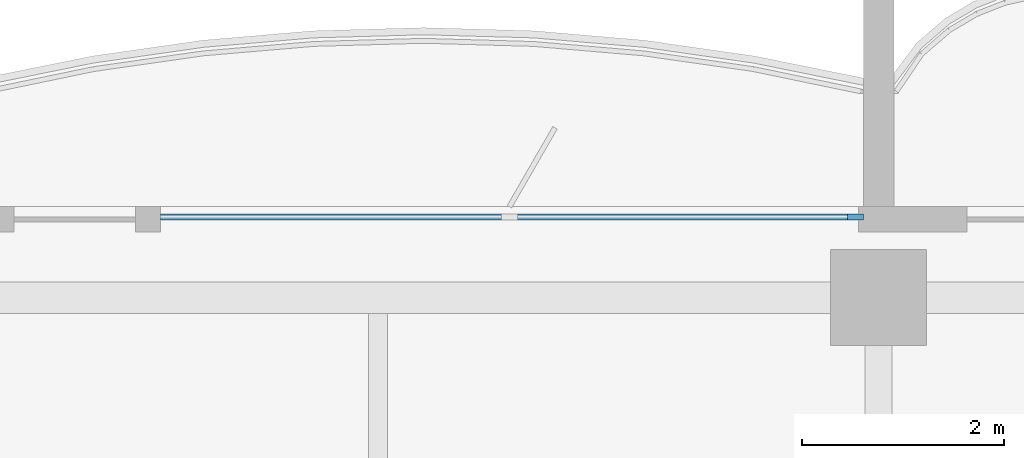
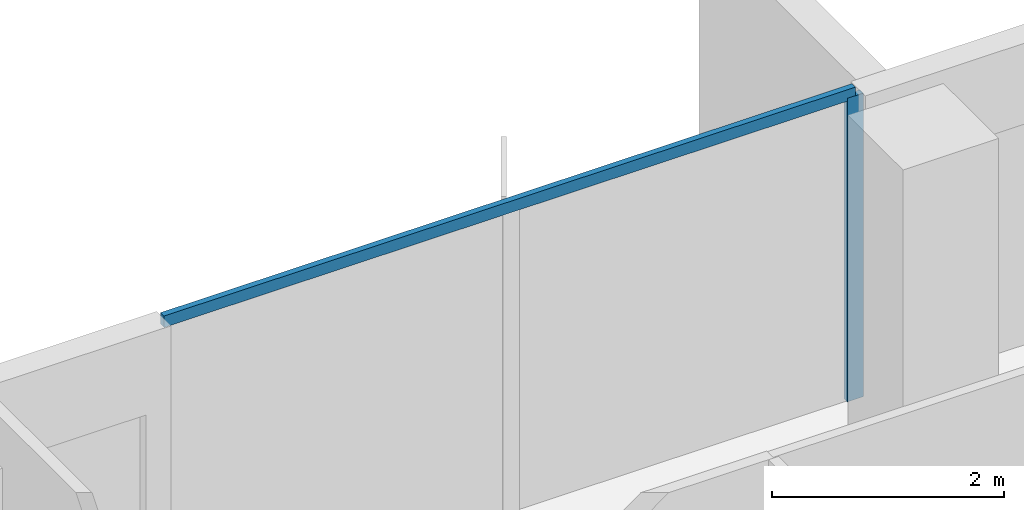
# One storey, part 6 of 18: 2 members, 1 element without a shape of its own.
"""IFC4 building model written with IfcOpenShell, lengths in metres."""

from ifc_helpers import new_model, si_unit, direction, frame, origin, origin_2d, place, context, subcontext, project, spatial, rectangle, extrude, material, material_profile, profile_set, type_object, element, aggregate, save


model = new_model("IFC4")

# Units and contexts
model_context = context("Model", 3, precision=1e-05, world=origin(), true_north=direction((0.0, 1.0)))
body_context = subcontext(model_context, "Body", "Model", "MODEL_VIEW")
ifc_project = project(units=[si_unit("LENGTHUNIT", "METRE"), si_unit("AREAUNIT", "SQUARE_METRE"), si_unit("VOLUMEUNIT", "CUBIC_METRE"), si_unit("PLANEANGLEUNIT", "RADIAN"), si_unit("MASSUNIT", "GRAM", prefix="KILO")], contexts=[model_context])

# Site, building, storey
site_placement = place(None, origin())
site = spatial("IfcSite", under=ifc_project, at=site_placement, CompositionType="ELEMENT")
building_placement = place(site_placement, origin())
building = spatial("IfcBuilding", under=site, at=building_placement, Name="Perihelion Cross Residences", CompositionType="ELEMENT")
storey_placement = place(building_placement, frame((0.0, 0.0, 215.60009765625)))
storey = spatial("IfcBuildingStorey", under=building, at=storey_placement, Name="L54", CompositionType="ELEMENT", Elevation=215.60009765625)

# Curtain wall, members
ifc_material_1 = material(Name="Bronze anodised aluminium, tinted glazing", Category="aluminium")
curtain_wall_type = type_object("IfcCurtainWallType", Name="CW1", PredefinedType="NOTDEFINED", material=ifc_material_1)
curtain_wall_placement = place(storey_placement, origin())
curtain_wall = element("IfcCurtainWall", 1, at=curtain_wall_placement, inside=storey, type_object=curtain_wall_type, Name="Curtain wall CW1 L54 east side north bay 2", PredefinedType="NOTDEFINED")
ifc_material_2 = material(Name="Bronze anodised aluminium", Category="aluminium")
ifc_material_profile_1 = material_profile(ifc_material_2, rectangle(XDim=0.06005859375, YDim=0.159912109375, at=origin_2d()), Name="CW1 mullion")
ifc_profile_set_1 = profile_set([ifc_material_profile_1], Name="Bronze anodised aluminium")
member_type_1 = type_object("IfcMemberType", Name="CW1 mullion", PredefinedType="MULLION", material=ifc_profile_set_1)
member_1_placement = place(storey_placement, frame((17.77001953125, 8.89990234375, 0.0), z_axis=(0.0, 0.0, 1.0), x_axis=(0.0, -1.0, 0.0)))
member_1 = element("IfcMember", 2, at=member_1_placement, type_object=member_type_1, Name="CW1 mullion 1", PredefinedType="MULLION", context=body_context, shape_type="SweptSolid", body=[
    extrude(rectangle(XDim=0.06005859375, YDim=0.159912109375, at=origin_2d()), origin(), (0.0, 0.0, 1.0), 3.18994140625),
])
ifc_material_3 = material(Name="Bronze anodised aluminium", Category="aluminium")
ifc_material_profile_2 = material_profile(ifc_material_3, rectangle(XDim=0.06005859375, YDim=0.1201171875, at=origin_2d()), Name="CW1 transom")
ifc_profile_set_2 = profile_set([ifc_material_profile_2], Name="Bronze anodised aluminium")
member_type_2 = type_object("IfcMemberType", Name="CW1 transom", PredefinedType="USERDEFINED", material=ifc_profile_set_2)
member_2_placement = place(storey_placement, frame((17.77001953125, 8.89990234375, 3.219970703125), z_axis=(-1.0, 0.0, 0.0), x_axis=(0.0, -1.0, 0.0)))
member_2 = element("IfcMember", 3, at=member_2_placement, type_object=member_type_2, Name="CW1 head transom", ObjectType="TRANSOM", PredefinedType="USERDEFINED", context=body_context, shape_type="SweptSolid", body=[
    extrude(rectangle(XDim=0.06005859375, YDim=0.1201171875, at=origin_2d()), origin(), (0.0, 0.0, 1.0), 6.8701171875),
])
aggregate(curtain_wall, [member_1, member_2])

save(model, "model.ifc")
